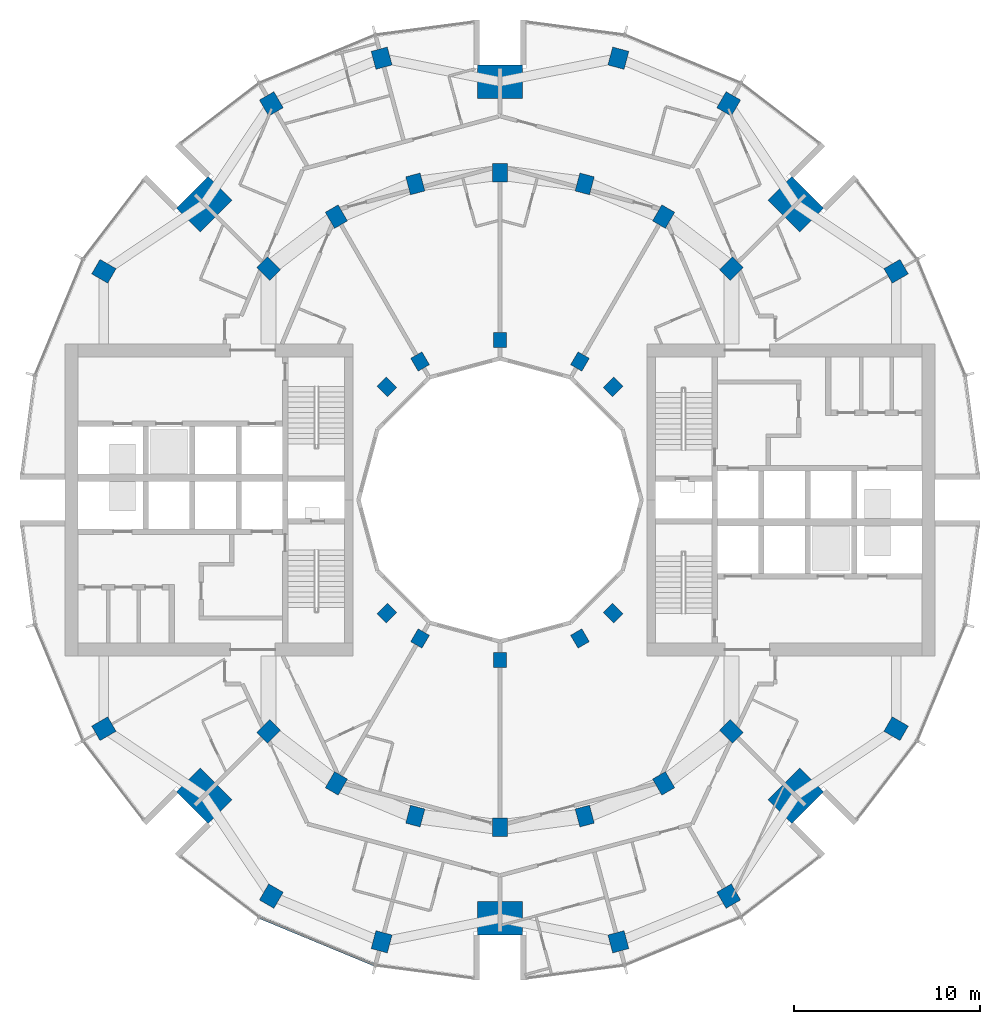
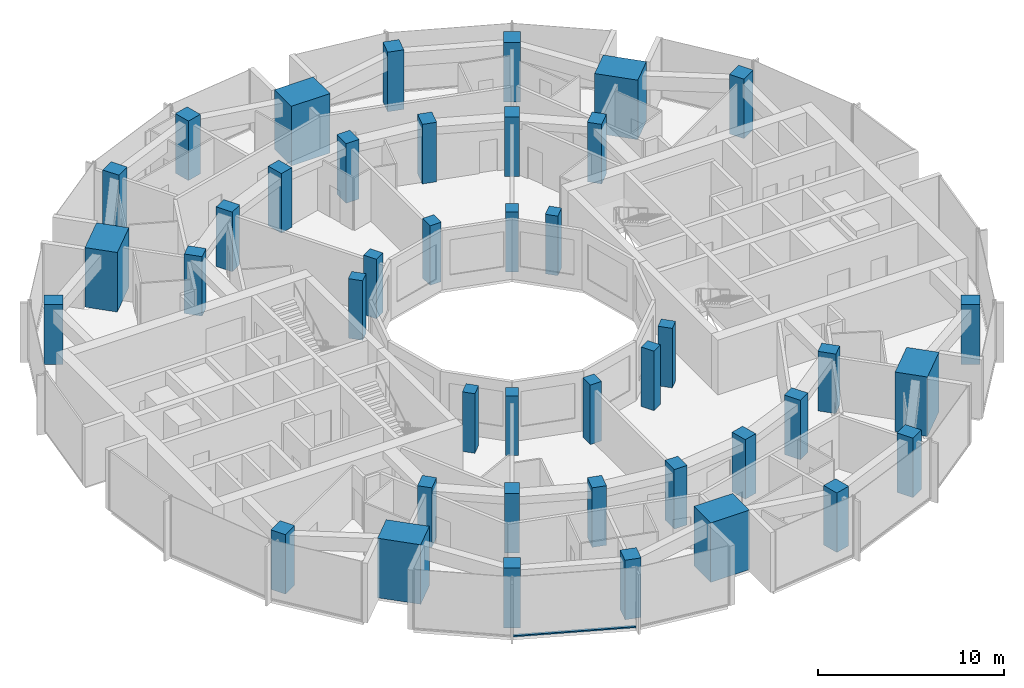
# One storey, part 1 of 15: 42 columns, 1 member, 1 element without a shape of its own.
"""IFC4 building model written with IfcOpenShell, lengths in metres."""

from ifc_helpers import new_model, si_unit, direction, frame, origin, origin_2d, place, context, subcontext, project, spatial, rectangle, extrude, material, layer, layer_set, material_profile, profile_set, type_object, element, aggregate, save


model = new_model("IFC4")

# Units and contexts
model_context = context("Model", 3, precision=1e-05, world=origin(), true_north=direction((0.0, 1.0)))
body_context = subcontext(model_context, "Body", "Model", "MODEL_VIEW")
ifc_project = project(units=[si_unit("LENGTHUNIT", "METRE"), si_unit("AREAUNIT", "SQUARE_METRE"), si_unit("VOLUMEUNIT", "CUBIC_METRE"), si_unit("PLANEANGLEUNIT", "RADIAN"), si_unit("MASSUNIT", "GRAM", prefix="KILO")], contexts=[model_context])

# Site, building, storey
site_placement = place(None, origin())
site = spatial("IfcSite", under=ifc_project, at=site_placement, CompositionType="ELEMENT")
building_placement = place(site_placement, origin())
building = spatial("IfcBuilding", under=site, at=building_placement, Name="Torre Brocal", CompositionType="ELEMENT")
storey_placement = place(building_placement, frame((0.0, 0.0, 130.199951171875)))
storey = spatial("IfcBuildingStorey", under=building, at=storey_placement, Name="L30", CompositionType="ELEMENT", Elevation=130.199951171875)

# Columns
ifc_material_1 = material(Name="Concrete C70", Category="concrete")
ifc_material_profile_1 = material_profile(ifc_material_1, rectangle(XDim=1.0, YDim=0.800048828125, at=origin_2d()), Name="RC 1000X800")
ifc_profile_set_1 = profile_set([ifc_material_profile_1], Name="Concrete C70")
column_type_1 = type_object("IfcColumnType", Name="RC COLUMN 1000X800 C70", PredefinedType="COLUMN", material=ifc_profile_set_1)
for number, where, z_axis, x_axis, name in (
    (1, (92.445068359375, 87.445068359375, 0.0), (0.0, 0.0, 1.0), (0.707106781187, 0.707106781187, 0.0), "Column C-M03"),
    (2, (88.800048828125, 90.241943359375, 0.0), (0.0, 0.0, 1.0), (0.5, 0.866025403784, 0.0), "Column C-M04"),
    (3, (84.55517578125, 92.000244140625, 0.0), (0.0, 0.0, 1.0), (0.258819045103, 0.965925826289, 0.0), "Column C-M05"),
    (4, (80.0, 92.60009765625, 0.0), (0.0, 0.0, 1.0), (0.0, 1.0, 0.0), "Column C-M06"),
    (5, (75.44482421875, 92.000244140625, 0.0), (0.0, 0.0, 1.0), (-0.258819045103, 0.965925826289, 0.0), "Column C-M07"),
    (6, (71.199951171875, 90.241943359375, 0.0), (0.0, 0.0, 1.0), (-0.5, 0.866025403784, 0.0), "Column C-M08"),
    (7, (67.554931640625, 87.445068359375, 0.0), (0.0, 0.0, 1.0), (-0.707106781187, 0.707106781187, 0.0), "Column C-M09"),
    (8, (67.554931640625, 62.554931640625, 0.0), (0.0, 0.0, 1.0), (-0.707106781187, -0.707106781187, 0.0), "Column C-M15"),
    (9, (71.199951171875, 59.758056640625, 0.0), (0.0, 0.0, 1.0), (-0.5, -0.866025403784, 0.0), "Column C-M16"),
    (10, (75.44482421875, 57.999755859375, 0.0), (0.0, 0.0, 1.0), (-0.258819045103, -0.965925826289, 0.0), "Column C-M17"),
    (11, (80.0, 57.39990234375, 0.0), (0.0, 0.0, 1.0), (0.0, -1.0, 0.0), "Column C-M18"),
    (12, (84.55517578125, 57.999755859375, 0.0), (0.0, 0.0, 1.0), (0.258819045103, -0.965925826289, 0.0), "Column C-M19"),
    (13, (88.800048828125, 59.758056640625, 0.0), (0.0, 0.0, 1.0), (0.5, -0.866025403784, 0.0), "Column C-M20"),
    (14, (92.445068359375, 62.554931640625, 0.0), (0.0, 0.0, 1.0), (0.707106781187, -0.707106781187, 0.0), "Column C-M21"),
):
    element("IfcColumn", number, at=place(storey_placement, frame(where, z_axis=z_axis, x_axis=x_axis)), inside=storey, type_object=column_type_1, Name=name, PredefinedType="COLUMN", context=body_context, shape_type="SweptSolid", body=[
        extrude(rectangle(XDim=1.0, YDim=0.800048828125, at=origin_2d()), origin(), (0.0, 0.0, 1.0), 3.900146484375),
    ])
ifc_material_2 = material(Name="Concrete C70", Category="concrete")
ifc_material_profile_2 = material_profile(ifc_material_2, rectangle(XDim=1.0, YDim=0.89990234375, at=origin_2d()), Name="RC 1000X900")
ifc_profile_set_2 = profile_set([ifc_material_profile_2], Name="Concrete C70")
column_type_2 = type_object("IfcColumnType", Name="RC COLUMN 1000X900 C70", PredefinedType="COLUMN", material=ifc_profile_set_2)
for number, where, z_axis, x_axis, name in (
    (15, (101.30419921875, 87.300048828125, 0.0), (0.0, 0.0, 1.0), (0.866025403784, 0.5, 0.0), "Column C-O02"),
    (16, (92.300048828125, 96.30419921875, 0.0), (0.0, 0.0, 1.0), (0.5, 0.866025403784, 0.0), "Column C-O04"),
    (17, (86.366943359375, 98.76171875, 0.0), (0.0, 0.0, 1.0), (0.258819045103, 0.965925826289, 0.0), "Column C-O05"),
    (18, (73.633056640625, 98.76171875, 0.0), (0.0, 0.0, 1.0), (-0.258819045103, 0.965925826289, 0.0), "Column C-O07"),
    (19, (67.699951171875, 96.30419921875, 0.0), (0.0, 0.0, 1.0), (-0.5, 0.866025403784, 0.0), "Column C-O08"),
    (20, (58.69580078125, 87.300048828125, 0.0), (0.0, 0.0, 1.0), (-0.866025403784, 0.5, 0.0), "Column C-O10"),
    (21, (58.69580078125, 62.699951171875, 0.0), (0.0, 0.0, 1.0), (-0.866025403784, -0.5, 0.0), "Column C-O14"),
    (22, (67.699951171875, 53.69580078125, 0.0), (0.0, 0.0, 1.0), (-0.5, -0.866025403784, 0.0), "Column C-O16"),
    (23, (73.633056640625, 51.23828125, 0.0), (0.0, 0.0, 1.0), (-0.258819045103, -0.965925826289, 0.0), "Column C-O17"),
    (24, (86.366943359375, 51.23828125, 0.0), (0.0, 0.0, 1.0), (0.258819045103, -0.965925826289, 0.0), "Column C-O19"),
    (25, (92.300048828125, 53.69580078125, 0.0), (0.0, 0.0, 1.0), (0.5, -0.866025403784, 0.0), "Column C-O20"),
    (26, (101.30419921875, 62.699951171875, 0.0), (0.0, 0.0, 1.0), (0.866025403784, -0.5, 0.0), "Column C-O22"),
):
    element("IfcColumn", number, at=place(storey_placement, frame(where, z_axis=z_axis, x_axis=x_axis)), inside=storey, type_object=column_type_2, Name=name, PredefinedType="COLUMN", context=body_context, shape_type="SweptSolid", body=[
        extrude(rectangle(XDim=1.0, YDim=0.89990234375, at=origin_2d()), origin(), (0.0, 0.0, 1.0), 3.900146484375),
    ])
ifc_material_3 = material(Name="Concrete C70", Category="concrete")
ifc_material_profile_3 = material_profile(ifc_material_3, rectangle(XDim=1.800048828125, YDim=2.39990234375, at=origin_2d()), Name="RC 1800X2400")
ifc_profile_set_3 = profile_set([ifc_material_profile_3], Name="Concrete C70")
column_type_3 = type_object("IfcColumnType", Name="RC COLUMN 1800X2400 C70", PredefinedType="COLUMN", material=ifc_profile_set_3)
for number, where, z_axis, x_axis, name in (
    (27, (95.909912109375, 90.909912109375, 0.0), (0.0, 0.0, 1.0), (0.707106781187, 0.707106781187, 0.0), "Column MC-1"),
    (28, (80.0, 97.5, 0.0), (0.0, 0.0, 1.0), (0.0, 1.0, 0.0), "Column MC-2"),
    (29, (64.090087890625, 90.909912109375, 0.0), (0.0, 0.0, 1.0), (-0.707106781187, 0.707106781187, 0.0), "Column MC-3"),
    (30, (64.090087890625, 59.090087890625, 0.0), (0.0, 0.0, 1.0), (-0.707106781187, -0.707106781187, 0.0), "Column MC-5"),
    (31, (80.0, 52.5, 0.0), (0.0, 0.0, 1.0), (0.0, -1.0, 0.0), "Column MC-6"),
    (32, (95.909912109375, 59.090087890625, 0.0), (0.0, 0.0, 1.0), (0.707106781187, -0.707106781187, 0.0), "Column MC-7"),
):
    element("IfcColumn", number, at=place(storey_placement, frame(where, z_axis=z_axis, x_axis=x_axis)), inside=storey, type_object=column_type_3, Name=name, PredefinedType="COLUMN", context=body_context, shape_type="SweptSolid", body=[
        extrude(rectangle(XDim=1.800048828125, YDim=2.39990234375, at=origin_2d()), origin(), (0.0, 0.0, 1.0), 3.900146484375),
    ])
ifc_material_4 = material(Name="Concrete C70", Category="concrete")
ifc_material_profile_4 = material_profile(ifc_material_4, rectangle(XDim=0.800048828125, YDim=0.699951171875, at=origin_2d()), Name="RC 800X700")
ifc_profile_set_4 = profile_set([ifc_material_profile_4], Name="Concrete C70")
column_type_4 = type_object("IfcColumnType", Name="RC COLUMN 800X700 C70", PredefinedType="COLUMN", material=ifc_profile_set_4)
for number, where, z_axis, x_axis, name in (
    (33, (86.0810546875, 81.0810546875, 0.0), (0.0, 0.0, 1.0), (0.707106781187, 0.707106781187, 0.0), "Column C-I03"),
    (34, (84.300048828125, 82.44775390625, 0.0), (0.0, 0.0, 1.0), (0.5, 0.866025403784, 0.0), "Column C-I04"),
    (35, (80.0, 83.60009765625, 0.0), (0.0, 0.0, 1.0), (0.0, 1.0, 0.0), "Column C-I06"),
    (36, (75.699951171875, 82.44775390625, 0.0), (0.0, 0.0, 1.0), (-0.5, 0.866025403784, 0.0), "Column C-I08"),
    (37, (73.9189453125, 81.0810546875, 0.0), (0.0, 0.0, 1.0), (-0.707106781187, 0.707106781187, 0.0), "Column C-I09"),
    (38, (73.9189453125, 68.9189453125, 0.0), (0.0, 0.0, 1.0), (-0.707106781187, -0.707106781187, 0.0), "Column C-I15"),
    (39, (75.699951171875, 67.55224609375, 0.0), (0.0, 0.0, 1.0), (-0.5, -0.866025403784, 0.0), "Column C-I16"),
    (40, (80.0, 66.39990234375, 0.0), (0.0, 0.0, 1.0), (0.0, -1.0, 0.0), "Column C-I18"),
    (41, (84.300048828125, 67.55224609375, 0.0), (0.0, 0.0, 1.0), (0.5, -0.866025403784, 0.0), "Column C-I20"),
    (42, (86.0810546875, 68.9189453125, 0.0), (0.0, 0.0, 1.0), (0.707106781187, -0.707106781187, 0.0), "Column C-I21"),
):
    element("IfcColumn", number, at=place(storey_placement, frame(where, z_axis=z_axis, x_axis=x_axis)), inside=storey, type_object=column_type_4, Name=name, PredefinedType="COLUMN", context=body_context, shape_type="SweptSolid", body=[
        extrude(rectangle(XDim=0.800048828125, YDim=0.699951171875, at=origin_2d()), origin(), (0.0, 0.0, 1.0), 3.900146484375),
    ])

# Curtain wall, member
ifc_material_5 = material(Name="Aluminium and glass", Category="aluminium")
ifc_layer = layer(ifc_material_5, 0.199951171875)
ifc_layer_set = layer_set([ifc_layer], Name="Aluminium and glass")
curtain_wall_type = type_object("IfcCurtainWallType", Name="CW-1 CURTAIN WALL 3900 HIGH", PredefinedType="NOTDEFINED", material=ifc_layer_set)
curtain_wall_placement = place(storey_placement, origin())
curtain_wall = element("IfcCurtainWall", 43, at=curtain_wall_placement, inside=storey, type_object=curtain_wall_type, Name="CW-1 RUN 17", PredefinedType="NOTDEFINED")
ifc_material_6 = material(Name="Aluminium, dark anodised", Category="aluminium")
ifc_material_profile_5 = material_profile(ifc_material_6, rectangle(XDim=0.159912109375, YDim=0.080078125, at=origin_2d()), Name="CW-1 TRANSOM 160X80")
ifc_profile_set_5 = profile_set([ifc_material_profile_5], Name="Aluminium, dark anodised")
member_type = type_object("IfcMemberType", Name="CW-1 TRANSOM 160X80", PredefinedType="USERDEFINED", material=ifc_profile_set_5)
member_placement = place(storey_placement, frame((67.10595703125, 52.547607421875, 0.0400390625), z_axis=(0.923887344364, -0.38266457234, 0.0), x_axis=(0.38266457234, 0.923887344364, 0.0)))
member = element("IfcMember", 44, at=member_placement, type_object=member_type, Name="CW1-3 transom 1.1", ObjectType="TRANSOM", PredefinedType="USERDEFINED", context=body_context, shape_type="SweptSolid", body=[
    extrude(rectangle(XDim=0.159912109375, YDim=0.080078125, at=origin_2d()), origin(), (0.0, 0.0, 1.0), 6.640869140625),
])
aggregate(curtain_wall, [member])

save(model, "model.ifc")
